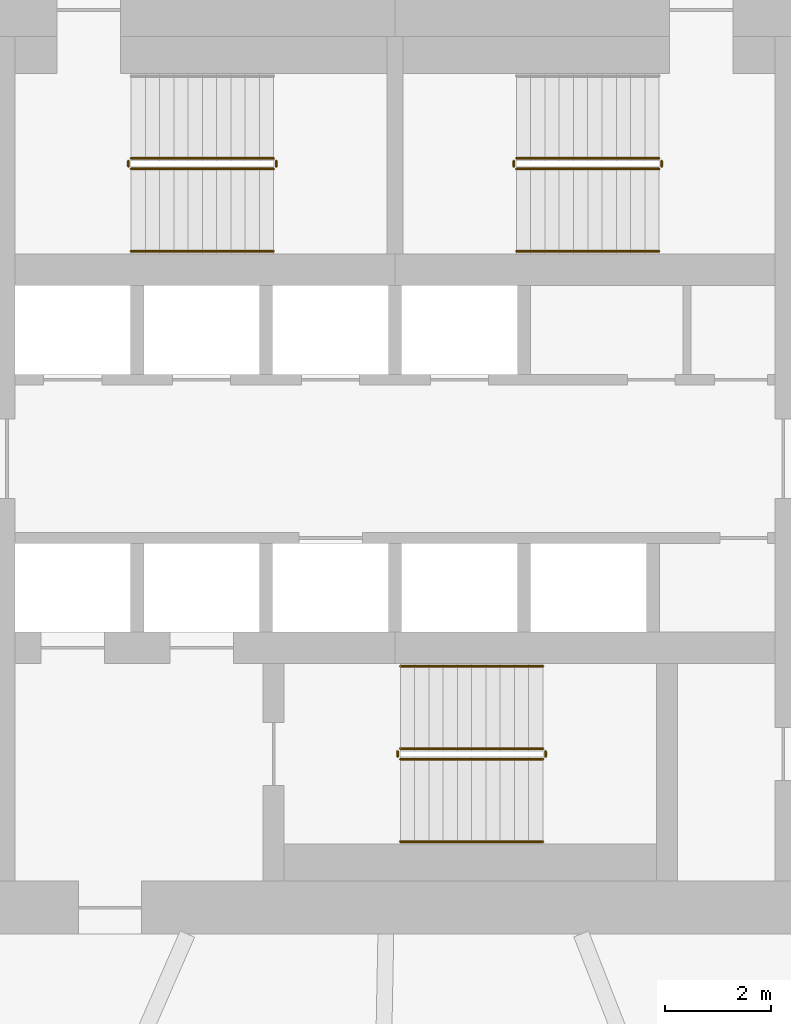
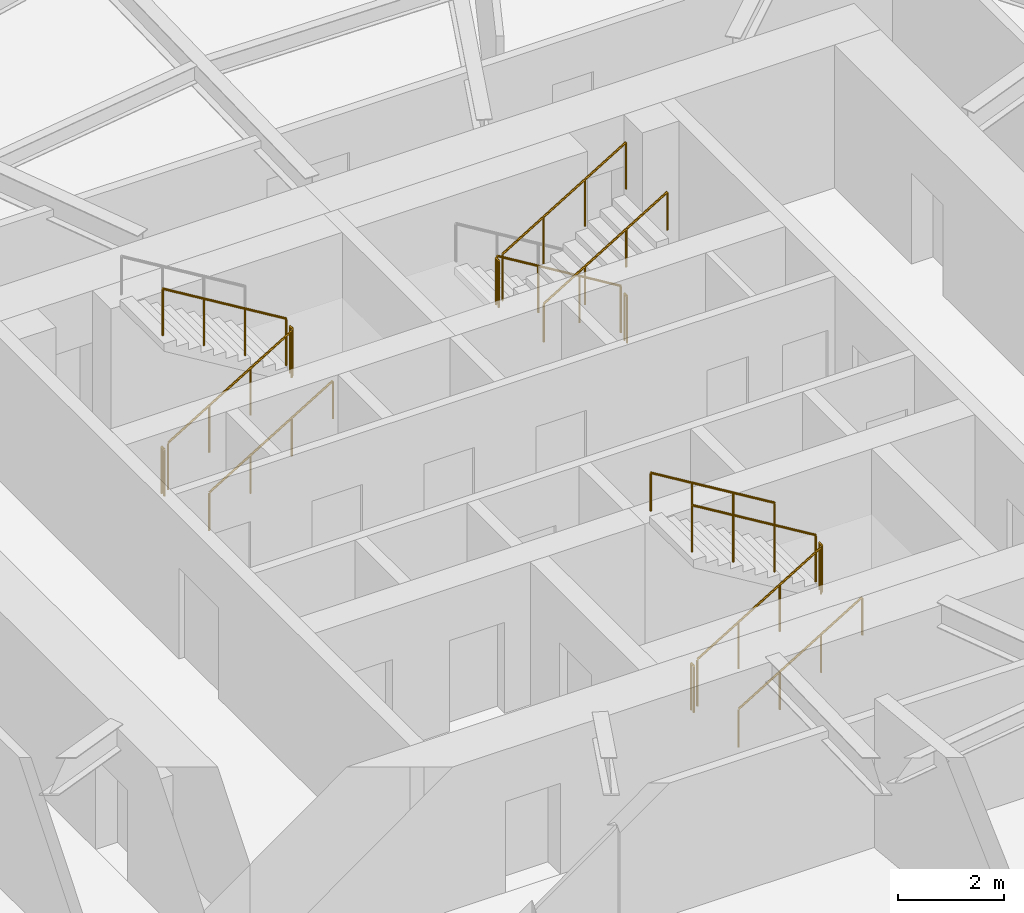
# One storey, part 13 of 15: 16 railings.
"""IFC4 building model written with IfcOpenShell, lengths in metres."""

from ifc_helpers import new_model, si_unit, direction, frame, origin, origin_2d, place, context, subcontext, project, spatial, circle, extrude, material, type_object, element, save


model = new_model("IFC4")

# Units and contexts
model_context = context("Model", 3, precision=1e-05, world=origin(), true_north=direction((0.0, 1.0)))
body_context = subcontext(model_context, "Body", "Model", "MODEL_VIEW")
ifc_project = project(units=[si_unit("LENGTHUNIT", "METRE"), si_unit("AREAUNIT", "SQUARE_METRE"), si_unit("VOLUMEUNIT", "CUBIC_METRE"), si_unit("PLANEANGLEUNIT", "RADIAN"), si_unit("MASSUNIT", "GRAM", prefix="KILO")], contexts=[model_context])

# Site, building, storey
site_placement = place(None, origin())
site = spatial("IfcSite", under=ifc_project, at=site_placement, CompositionType="ELEMENT")
building_placement = place(site_placement, origin())
building = spatial("IfcBuilding", under=site, at=building_placement, Name="Vermilion Reach Broadcast Tower", CompositionType="ELEMENT")
storey_placement = place(building_placement, frame((0.0, 0.0, 161.39990234375)))
storey = spatial("IfcBuildingStorey", under=building, at=storey_placement, Name="L38", CompositionType="ELEMENT", Elevation=161.39990234375)

# Railings
ifc_material_1 = material(Name="Stainless steel", Category="steel")
railing_type_1 = type_object("IfcRailingType", Name="Stair guard 1100", PredefinedType="GUARDRAIL", material=ifc_material_1)
railing_1_placement = place(storey_placement, frame((-11.0, 5.489990234375, 0.163818359375)))
element("IfcRailing", 1, at=railing_1_placement, inside=storey, type_object=railing_type_1, Name="L38 ST1 stair guard 1", PredefinedType="GUARDRAIL", context=body_context, shape_type="SweptSolid", body=[
    extrude(circle(Radius=0.02392578125, at=origin_2d()), frame((0.0, 0.0, 1.076171875), z_axis=(0.855212373127, 0.0, 0.518277721738), x_axis=(0.0, 1.0, 0.0)), (0.0, 0.0, 1.0), 3.156982421875),
    extrude(circle(Radius=0.02099609375, at=origin_2d()), origin(), (0.0, 0.0, 1.0), 1.052001953125),
    extrude(circle(Radius=0.02099609375, at=origin_2d()), frame((0.89990234375, 0.0, 0.54541015625)), (0.0, 0.0, 1.0), 1.052001953125),
    extrude(circle(Radius=0.02099609375, at=origin_2d()), frame((1.800048828125, 0.0, 1.0908203125)), (0.0, 0.0, 1.0), 1.052001953125),
    extrude(circle(Radius=0.02099609375, at=origin_2d()), frame((2.699951171875, 0.0, 1.63623046875)), (0.0, 0.0, 1.0), 1.052001953125),
])
railing_2_placement = place(storey_placement, frame((-8.25, 5.5400390625, 1.800048828125)))
element("IfcRailing", 2, at=railing_2_placement, inside=storey, type_object=railing_type_1, Name="L38 ST1 stair guard 2", PredefinedType="GUARDRAIL", context=body_context, shape_type="SweptSolid", body=[
    extrude(circle(Radius=0.02392578125, at=origin_2d()), frame((0.0, 0.0, 1.076171875), z_axis=(0.0, 1.0, 0.0), x_axis=(-1.0, 0.0, 0.0)), (0.0, 0.0, 1.0), 0.099853515625),
    extrude(circle(Radius=0.02099609375, at=origin_2d()), origin(), (0.0, 0.0, 1.0), 1.052001953125),
    extrude(circle(Radius=0.02099609375, at=origin_2d()), frame((0.0, 0.099853515625, 0.0)), (0.0, 0.0, 1.0), 1.052001953125),
])
railing_3_placement = place(storey_placement, frame((-8.300048828125, 5.68994140625, 1.963623046875)))
element("IfcRailing", 3, at=railing_3_placement, inside=storey, type_object=railing_type_1, Name="L38 ST1 stair guard 3", PredefinedType="GUARDRAIL", context=body_context, shape_type="SweptSolid", body=[
    extrude(circle(Radius=0.02392578125, at=origin_2d()), frame((0.0, 0.0, 1.076171875), z_axis=(-0.855178096276, 0.0, 0.518334277904), x_axis=(0.0, -1.0, 0.0)), (0.0, 0.0, 1.0), 3.1572265625),
    extrude(circle(Radius=0.02099609375, at=origin_2d()), origin(), (0.0, 0.0, 1.0), 1.052001953125),
    extrude(circle(Radius=0.02099609375, at=origin_2d()), frame((-0.89990234375, 0.0, 0.54541015625)), (0.0, 0.0, 1.0), 1.052001953125),
    extrude(circle(Radius=0.02099609375, at=origin_2d()), frame((-1.800048828125, 0.0, 1.091064453125)), (0.0, 0.0, 1.0), 1.052001953125),
    extrude(circle(Radius=0.02099609375, at=origin_2d()), frame((-2.699951171875, 0.0, 1.636474609375)), (0.0, 0.0, 1.0), 1.052001953125),
])
railing_4_placement = place(storey_placement, frame((-11.050048828125, 5.5400390625, 0.0)))
element("IfcRailing", 4, at=railing_4_placement, inside=storey, type_object=railing_type_1, Name="L38 ST1 stair guard 4", PredefinedType="GUARDRAIL", context=body_context, shape_type="SweptSolid", body=[
    extrude(circle(Radius=0.02392578125, at=origin_2d()), frame((0.0, 0.0, 1.076171875), z_axis=(0.0, 1.0, 0.0), x_axis=(-1.0, 0.0, 0.0)), (0.0, 0.0, 1.0), 0.099853515625),
    extrude(circle(Radius=0.02099609375, at=origin_2d()), origin(), (0.0, 0.0, 1.0), 1.052001953125),
    extrude(circle(Radius=0.02099609375, at=origin_2d()), frame((0.0, 0.099853515625, 0.0)), (0.0, 0.0, 1.0), 1.052001953125),
])
railing_5_placement = place(storey_placement, frame((-1.0, 5.68994140625, 0.163818359375)))
element("IfcRailing", 5, at=railing_5_placement, inside=storey, type_object=railing_type_1, Name="L38 ST2 stair guard 1", PredefinedType="GUARDRAIL", context=body_context, shape_type="SweptSolid", body=[
    extrude(circle(Radius=0.02392578125, at=origin_2d()), frame((0.0, 0.0, 1.076171875), z_axis=(-0.855212373127, 0.0, 0.518277721738), x_axis=(0.0, -1.0, 0.0)), (0.0, 0.0, 1.0), 3.156982421875),
    extrude(circle(Radius=0.02099609375, at=origin_2d()), origin(), (0.0, 0.0, 1.0), 1.052001953125),
    extrude(circle(Radius=0.02099609375, at=origin_2d()), frame((-0.89990234375, 0.0, 0.54541015625)), (0.0, 0.0, 1.0), 1.052001953125),
    extrude(circle(Radius=0.02099609375, at=origin_2d()), frame((-1.800048828125, 0.0, 1.0908203125)), (0.0, 0.0, 1.0), 1.052001953125),
    extrude(circle(Radius=0.02099609375, at=origin_2d()), frame((-2.699951171875, 0.0, 1.63623046875)), (0.0, 0.0, 1.0), 1.052001953125),
])
railing_6_placement = place(storey_placement, frame((-3.75, 5.639892578125, 1.800048828125)))
element("IfcRailing", 6, at=railing_6_placement, inside=storey, type_object=railing_type_1, Name="L38 ST2 stair guard 2", PredefinedType="GUARDRAIL", context=body_context, shape_type="SweptSolid", body=[
    extrude(circle(Radius=0.02392578125, at=origin_2d()), frame((0.0, 0.0, 1.076171875), z_axis=(0.0, -1.0, 0.0), x_axis=(1.0, 0.0, 0.0)), (0.0, 0.0, 1.0), 0.099853515625),
    extrude(circle(Radius=0.02099609375, at=origin_2d()), origin(), (0.0, 0.0, 1.0), 1.052001953125),
    extrude(circle(Radius=0.02099609375, at=origin_2d()), frame((0.0, -0.099853515625, 0.0)), (0.0, 0.0, 1.0), 1.052001953125),
])
railing_7_placement = place(storey_placement, frame((-3.699951171875, 5.489990234375, 1.963623046875)))
element("IfcRailing", 7, at=railing_7_placement, inside=storey, type_object=railing_type_1, Name="L38 ST2 stair guard 3", PredefinedType="GUARDRAIL", context=body_context, shape_type="SweptSolid", body=[
    extrude(circle(Radius=0.02392578125, at=origin_2d()), frame((0.0, 0.0, 1.076171875), z_axis=(0.855178096276, 0.0, 0.518334277904), x_axis=(0.0, 1.0, 0.0)), (0.0, 0.0, 1.0), 3.1572265625),
    extrude(circle(Radius=0.02099609375, at=origin_2d()), origin(), (0.0, 0.0, 1.0), 1.052001953125),
    extrude(circle(Radius=0.02099609375, at=origin_2d()), frame((0.89990234375, 0.0, 0.54541015625)), (0.0, 0.0, 1.0), 1.052001953125),
    extrude(circle(Radius=0.02099609375, at=origin_2d()), frame((1.800048828125, 0.0, 1.091064453125)), (0.0, 0.0, 1.0), 1.052001953125),
    extrude(circle(Radius=0.02099609375, at=origin_2d()), frame((2.699951171875, 0.0, 1.636474609375)), (0.0, 0.0, 1.0), 1.052001953125),
])
railing_8_placement = place(storey_placement, frame((-0.949951171875, 5.639892578125, 0.0)))
element("IfcRailing", 8, at=railing_8_placement, inside=storey, type_object=railing_type_1, Name="L38 ST2 stair guard 4", PredefinedType="GUARDRAIL", context=body_context, shape_type="SweptSolid", body=[
    extrude(circle(Radius=0.02392578125, at=origin_2d()), frame((0.0, 0.0, 1.076171875), z_axis=(0.0, -1.0, 0.0), x_axis=(1.0, 0.0, 0.0)), (0.0, 0.0, 1.0), 0.099853515625),
    extrude(circle(Radius=0.02099609375, at=origin_2d()), origin(), (0.0, 0.0, 1.0), 1.052001953125),
    extrude(circle(Radius=0.02099609375, at=origin_2d()), frame((0.0, -0.099853515625, 0.0)), (0.0, 0.0, 1.0), 1.052001953125),
])
railing_9_placement = place(storey_placement, frame((-5.89990234375, -5.68994140625, 0.163818359375)))
element("IfcRailing", 9, at=railing_9_placement, inside=storey, type_object=railing_type_1, Name="L38 ST3 stair guard 1", PredefinedType="GUARDRAIL", context=body_context, shape_type="SweptSolid", body=[
    extrude(circle(Radius=0.02392578125, at=origin_2d()), frame((0.0, 0.0, 1.076171875), z_axis=(0.855212373127, 0.0, 0.518277721738), x_axis=(0.0, 1.0, 0.0)), (0.0, 0.0, 1.0), 3.156982421875),
    extrude(circle(Radius=0.02099609375, at=origin_2d()), origin(), (0.0, 0.0, 1.0), 1.052001953125),
    extrude(circle(Radius=0.02099609375, at=origin_2d()), frame((0.89990234375, 0.0, 0.54541015625)), (0.0, 0.0, 1.0), 1.052001953125),
    extrude(circle(Radius=0.02099609375, at=origin_2d()), frame((1.800048828125, 0.0, 1.0908203125)), (0.0, 0.0, 1.0), 1.052001953125),
    extrude(circle(Radius=0.02099609375, at=origin_2d()), frame((2.699951171875, 0.0, 1.63623046875)), (0.0, 0.0, 1.0), 1.052001953125),
])
railing_10_placement = place(storey_placement, frame((-3.14990234375, -5.639892578125, 1.800048828125)))
element("IfcRailing", 10, at=railing_10_placement, inside=storey, type_object=railing_type_1, Name="L38 ST3 stair guard 2", PredefinedType="GUARDRAIL", context=body_context, shape_type="SweptSolid", body=[
    extrude(circle(Radius=0.02392578125, at=origin_2d()), frame((0.0, 0.0, 1.076171875), z_axis=(0.0, 1.0, 0.0), x_axis=(-1.0, 0.0, 0.0)), (0.0, 0.0, 1.0), 0.099853515625),
    extrude(circle(Radius=0.02099609375, at=origin_2d()), origin(), (0.0, 0.0, 1.0), 1.052001953125),
    extrude(circle(Radius=0.02099609375, at=origin_2d()), frame((0.0, 0.099853515625, 0.0)), (0.0, 0.0, 1.0), 1.052001953125),
])
railing_11_placement = place(storey_placement, frame((-3.199951171875, -5.489990234375, 1.963623046875)))
element("IfcRailing", 11, at=railing_11_placement, inside=storey, type_object=railing_type_1, Name="L38 ST3 stair guard 3", PredefinedType="GUARDRAIL", context=body_context, shape_type="SweptSolid", body=[
    extrude(circle(Radius=0.02392578125, at=origin_2d()), frame((0.0, 0.0, 1.076171875), z_axis=(-0.855178096276, 0.0, 0.518334277904), x_axis=(0.0, -1.0, 0.0)), (0.0, 0.0, 1.0), 3.1572265625),
    extrude(circle(Radius=0.02099609375, at=origin_2d()), origin(), (0.0, 0.0, 1.0), 1.052001953125),
    extrude(circle(Radius=0.02099609375, at=origin_2d()), frame((-0.89990234375, 0.0, 0.54541015625)), (0.0, 0.0, 1.0), 1.052001953125),
    extrude(circle(Radius=0.02099609375, at=origin_2d()), frame((-1.800048828125, 0.0, 1.091064453125)), (0.0, 0.0, 1.0), 1.052001953125),
    extrude(circle(Radius=0.02099609375, at=origin_2d()), frame((-2.699951171875, 0.0, 1.636474609375)), (0.0, 0.0, 1.0), 1.052001953125),
])
railing_12_placement = place(storey_placement, frame((-5.949951171875, -5.639892578125, 0.0)))
element("IfcRailing", 12, at=railing_12_placement, inside=storey, type_object=railing_type_1, Name="L38 ST3 stair guard 4", PredefinedType="GUARDRAIL", context=body_context, shape_type="SweptSolid", body=[
    extrude(circle(Radius=0.02392578125, at=origin_2d()), frame((0.0, 0.0, 1.076171875), z_axis=(0.0, 1.0, 0.0), x_axis=(-1.0, 0.0, 0.0)), (0.0, 0.0, 1.0), 0.099853515625),
    extrude(circle(Radius=0.02099609375, at=origin_2d()), origin(), (0.0, 0.0, 1.0), 1.052001953125),
    extrude(circle(Radius=0.02099609375, at=origin_2d()), frame((0.0, 0.099853515625, 0.0)), (0.0, 0.0, 1.0), 1.052001953125),
])
ifc_material_2 = material(Name="Stainless steel", Category="steel")
railing_type_2 = type_object("IfcRailingType", Name="Stair handrail", PredefinedType="HANDRAIL", material=ifc_material_2)
railing_13_placement = place(storey_placement, frame((-11.0, 3.929931640625, 0.163818359375)))
element("IfcRailing", 13, at=railing_13_placement, inside=storey, type_object=railing_type_2, Name="L38 ST1 stair handrail 1", PredefinedType="HANDRAIL", context=body_context, shape_type="SweptSolid", body=[
    extrude(circle(Radius=0.02392578125, at=origin_2d()), frame((0.0, 0.0, 0.8759765625), z_axis=(0.855212373127, 0.0, 0.518277721738), x_axis=(0.0, 1.0, 0.0)), (0.0, 0.0, 1.0), 3.156982421875),
    extrude(circle(Radius=0.02099609375, at=origin_2d()), origin(), (0.0, 0.0, 1.0), 0.851806640625),
    extrude(circle(Radius=0.02099609375, at=origin_2d()), frame((0.89990234375, 0.0, 0.54541015625)), (0.0, 0.0, 1.0), 0.851806640625),
    extrude(circle(Radius=0.02099609375, at=origin_2d()), frame((1.800048828125, 0.0, 1.0908203125)), (0.0, 0.0, 1.0), 0.851806640625),
    extrude(circle(Radius=0.02099609375, at=origin_2d()), frame((2.699951171875, 0.0, 1.63623046875)), (0.0, 0.0, 1.0), 0.851806640625),
])
railing_14_placement = place(storey_placement, frame((-3.699951171875, 3.929931640625, 1.963623046875)))
element("IfcRailing", 14, at=railing_14_placement, inside=storey, type_object=railing_type_2, Name="L38 ST2 stair handrail 2", PredefinedType="HANDRAIL", context=body_context, shape_type="SweptSolid", body=[
    extrude(circle(Radius=0.02392578125, at=origin_2d()), frame((0.0, 0.0, 0.8759765625), z_axis=(0.855178096276, 0.0, 0.518334277904), x_axis=(0.0, 1.0, 0.0)), (0.0, 0.0, 1.0), 3.1572265625),
    extrude(circle(Radius=0.02099609375, at=origin_2d()), origin(), (0.0, 0.0, 1.0), 0.851806640625),
    extrude(circle(Radius=0.02099609375, at=origin_2d()), frame((0.89990234375, 0.0, 0.54541015625)), (0.0, 0.0, 1.0), 0.851806640625),
    extrude(circle(Radius=0.02099609375, at=origin_2d()), frame((1.800048828125, 0.0, 1.091064453125)), (0.0, 0.0, 1.0), 0.851806640625),
    extrude(circle(Radius=0.02099609375, at=origin_2d()), frame((2.699951171875, 0.0, 1.636474609375)), (0.0, 0.0, 1.0), 0.851806640625),
])
railing_15_placement = place(storey_placement, frame((-5.89990234375, -7.25, 0.163818359375)))
element("IfcRailing", 15, at=railing_15_placement, inside=storey, type_object=railing_type_2, Name="L38 ST3 stair handrail 1", PredefinedType="HANDRAIL", context=body_context, shape_type="SweptSolid", body=[
    extrude(circle(Radius=0.02392578125, at=origin_2d()), frame((0.0, 0.0, 0.8759765625), z_axis=(0.855212373127, 0.0, 0.518277721738), x_axis=(0.0, 1.0, 0.0)), (0.0, 0.0, 1.0), 3.156982421875),
    extrude(circle(Radius=0.02099609375, at=origin_2d()), origin(), (0.0, 0.0, 1.0), 0.851806640625),
    extrude(circle(Radius=0.02099609375, at=origin_2d()), frame((0.89990234375, 0.0, 0.54541015625)), (0.0, 0.0, 1.0), 0.851806640625),
    extrude(circle(Radius=0.02099609375, at=origin_2d()), frame((1.800048828125, 0.0, 1.0908203125)), (0.0, 0.0, 1.0), 0.851806640625),
    extrude(circle(Radius=0.02099609375, at=origin_2d()), frame((2.699951171875, 0.0, 1.63623046875)), (0.0, 0.0, 1.0), 0.851806640625),
])
railing_16_placement = place(storey_placement, frame((-3.199951171875, -3.929931640625, 1.963623046875)))
element("IfcRailing", 16, at=railing_16_placement, inside=storey, type_object=railing_type_2, Name="L38 ST3 stair handrail 2", PredefinedType="HANDRAIL", context=body_context, shape_type="SweptSolid", body=[
    extrude(circle(Radius=0.02392578125, at=origin_2d()), frame((0.0, 0.0, 0.8759765625), z_axis=(-0.855178096276, 0.0, 0.518334277904), x_axis=(0.0, -1.0, 0.0)), (0.0, 0.0, 1.0), 3.1572265625),
    extrude(circle(Radius=0.02099609375, at=origin_2d()), origin(), (0.0, 0.0, 1.0), 0.851806640625),
    extrude(circle(Radius=0.02099609375, at=origin_2d()), frame((-0.89990234375, 0.0, 0.54541015625)), (0.0, 0.0, 1.0), 0.851806640625),
    extrude(circle(Radius=0.02099609375, at=origin_2d()), frame((-1.800048828125, 0.0, 1.091064453125)), (0.0, 0.0, 1.0), 0.851806640625),
    extrude(circle(Radius=0.02099609375, at=origin_2d()), frame((-2.699951171875, 0.0, 1.636474609375)), (0.0, 0.0, 1.0), 0.851806640625),
])

save(model, "model.ifc")
